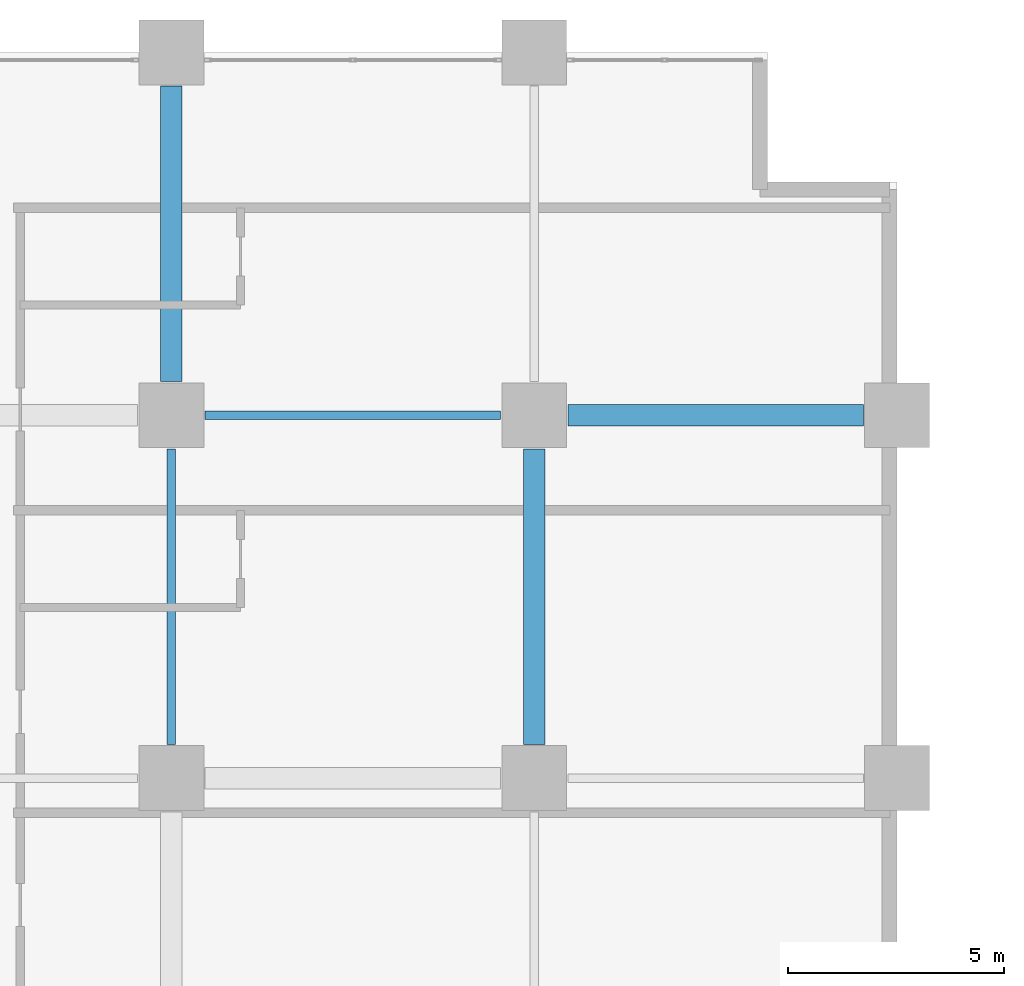
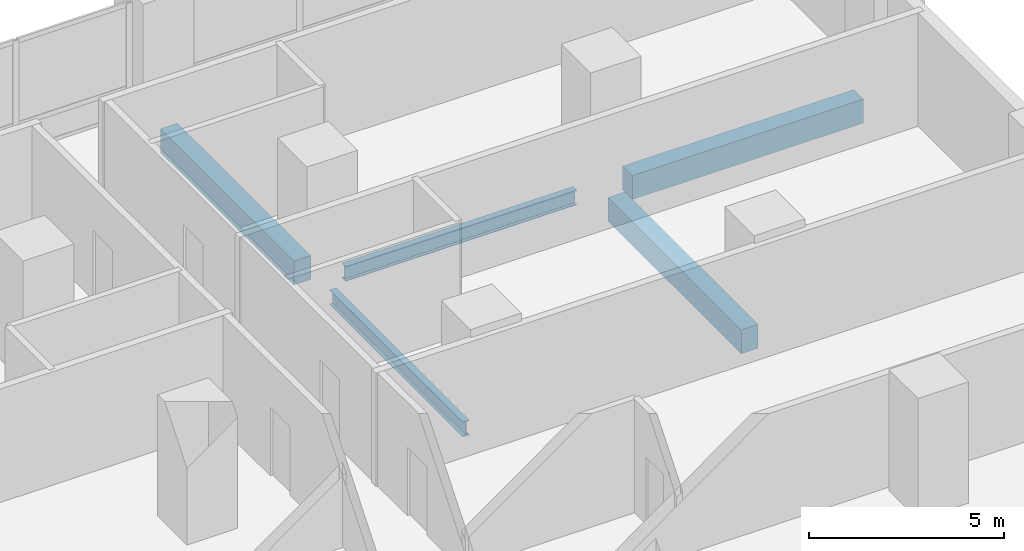
# One storey, part 4 of 23: 5 beams.
"""IFC4 building model written with IfcOpenShell, lengths in metres."""

from ifc_helpers import new_model, si_unit, direction, frame, origin, origin_2d, place, context, subcontext, project, spatial, rectangle, i_section, extrude, material, material_profile, profile_set, type_object, element, save


model = new_model("IFC4")

# Units and contexts
model_context = context("Model", 3, precision=1e-05, world=origin(), true_north=direction((0.0, 1.0)))
body_context = subcontext(model_context, "Body", "Model", "MODEL_VIEW")
ifc_project = project(units=[si_unit("LENGTHUNIT", "METRE"), si_unit("AREAUNIT", "SQUARE_METRE"), si_unit("VOLUMEUNIT", "CUBIC_METRE"), si_unit("PLANEANGLEUNIT", "RADIAN"), si_unit("MASSUNIT", "GRAM", prefix="KILO")], contexts=[model_context])

# Site, building, storey
site_placement = place(None, origin())
site = spatial("IfcSite", under=ifc_project, at=site_placement, CompositionType="ELEMENT")
building_placement = place(site_placement, origin())
building = spatial("IfcBuilding", under=site, at=building_placement, Name="Koriwani Terraces Tower", CompositionType="ELEMENT")
storey_placement = place(building_placement, frame((0.0, 0.0, 32.0)))
storey = spatial("IfcBuildingStorey", under=building, at=storey_placement, Name="L06", CompositionType="ELEMENT", Elevation=32.0)

# Beams
ifc_material_1 = material(Name="Concrete C50/60", Category="concrete")
ifc_material_profile_1 = material_profile(ifc_material_1, rectangle(XDim=0.5, YDim=0.75, at=origin_2d()), Name="Concrete C50/60", Category="LoadBearing")
ifc_profile_set_1 = profile_set([ifc_material_profile_1], Name="Concrete C50/60")
beam_type_1 = type_object("IfcBeamType", Name="BEAM_RC_GRID_500X750", PredefinedType="BEAM", material=ifc_profile_set_1)
for number, where, z_axis, x_axis, name in (
    (1, (25.97998046875, 84.0, -0.625), (1.0, 0.0, 0.0), (0.0, 1.0, 0.0), "L06 Grid Beam K (25.2-33.6m)"),
    (2, (16.800048828125, 84.780029296875, -0.625), (0.0, 1.0, 0.0), (-1.0, 0.0, 0.0), "L06 Grid Beam 3 (84.0-92.4m)"),
    (3, (25.199951171875, 76.3798828125, -0.625), (0.0, 1.0, 0.0), (-1.0, 0.0, 0.0), "L06 Grid Beam 4 (75.6-84.0m)"),
):
    element("IfcBeam", number, at=place(storey_placement, frame(where, z_axis=z_axis, x_axis=x_axis)), inside=storey, type_object=beam_type_1, Name=name, PredefinedType="BEAM", context=body_context, shape_type="SweptSolid", body=[
        extrude(rectangle(XDim=0.5, YDim=0.75, at=origin_2d()), origin(), (0.0, 0.0, 1.0), 6.840087890625),
    ])
ifc_material_2 = material(Name="Steel ASTM A572 Grade 50", Category="steel")
ifc_material_profile_2 = material_profile(ifc_material_2, i_section(OverallWidth=0.193115234375, OverallDepth=0.462890625, WebThickness=0.0107421875, FlangeThickness=0.017333984375, at=origin_2d()), Name="Steel ASTM A572 Grade 50", Category="LoadBearing")
ifc_profile_set_2 = profile_set([ifc_material_profile_2], Name="Steel ASTM A572 Grade 50")
beam_type_2 = type_object("IfcBeamType", Name="STEEL_BEAM_W460X113", PredefinedType="BEAM", material=ifc_profile_set_2)
beam_1_placement = place(storey_placement, frame((17.580078125, 84.0, -0.4814453125), z_axis=(1.0, 0.0, 0.0), x_axis=(0.0, 1.0, 0.0)))
element("IfcBeam", 4, at=beam_1_placement, inside=storey, type_object=beam_type_2, Name="L06 Grid Beam K (16.8-25.2m)", PredefinedType="BEAM", context=body_context, shape_type="SweptSolid", body=[
    extrude(i_section(OverallWidth=0.193115234375, OverallDepth=0.462890625, WebThickness=0.0107421875, FlangeThickness=0.017333984375, at=origin_2d()), origin(), (0.0, 0.0, 1.0), 6.83984375),
])
beam_2_placement = place(storey_placement, frame((16.800048828125, 76.3798828125, -0.4814453125), z_axis=(0.0, 1.0, 0.0), x_axis=(-1.0, 0.0, 0.0)))
element("IfcBeam", 5, at=beam_2_placement, inside=storey, type_object=beam_type_2, Name="L06 Grid Beam 3 (75.6-84.0m)", PredefinedType="BEAM", context=body_context, shape_type="SweptSolid", body=[
    extrude(i_section(OverallWidth=0.193115234375, OverallDepth=0.462890625, WebThickness=0.0107421875, FlangeThickness=0.017333984375, at=origin_2d()), origin(), (0.0, 0.0, 1.0), 6.840087890625),
])

save(model, "model.ifc")
